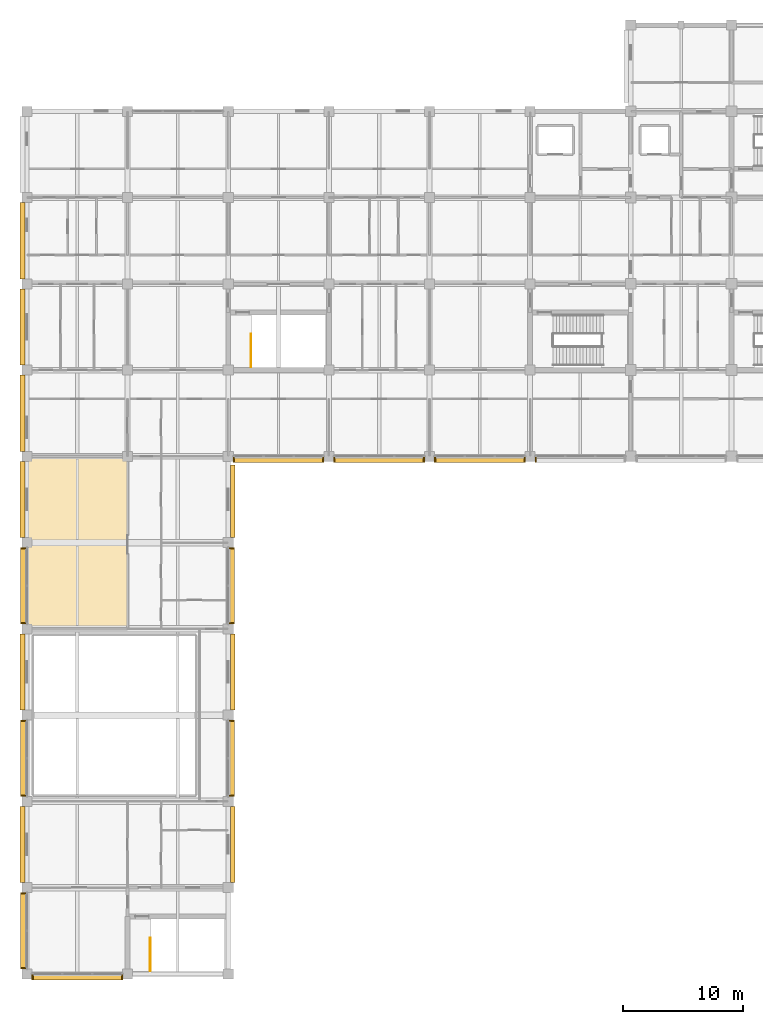
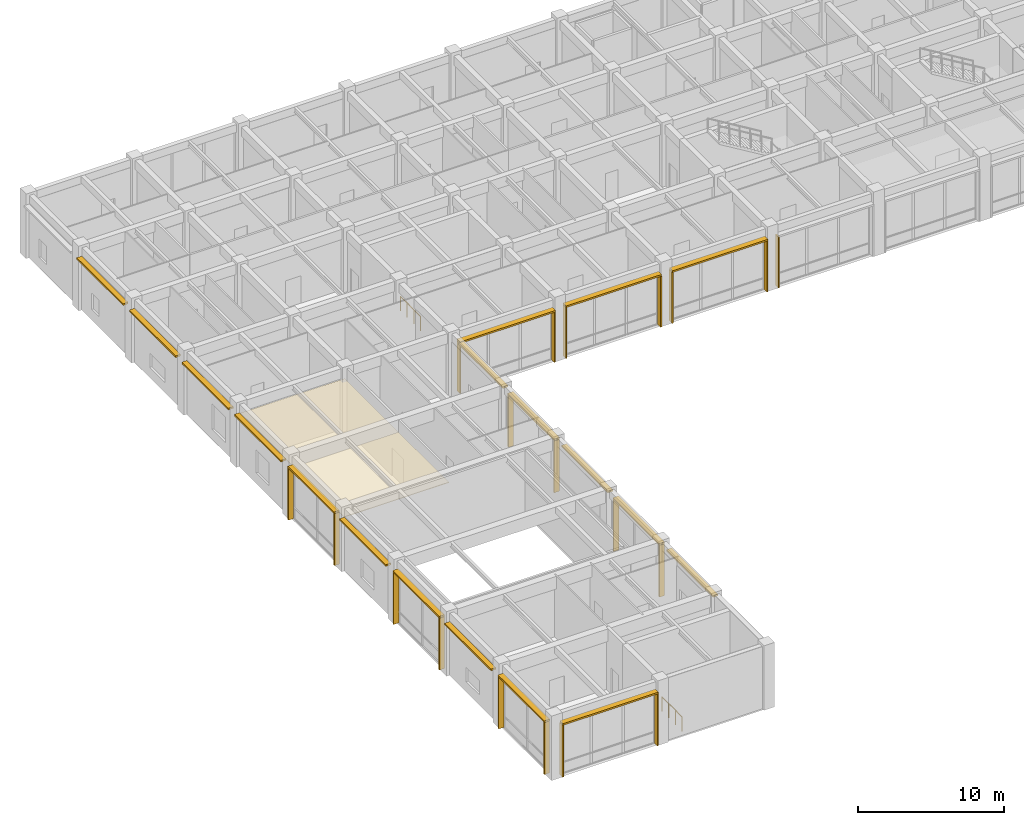
# One storey, part 52 of 58: 37 shading devices, 2 railings, 1 covering.
"""IFC4 building model written with IfcOpenShell, lengths in metres."""

from ifc_helpers import new_model, si_unit, direction, frame, origin, origin_2d, place, context, subcontext, project, spatial, polyline, rectangle, circle, outline, extrude, material, layer, layer_set, type_object, element, save


model = new_model("IFC4")

# Units and contexts
model_context = context("Model", 3, precision=1e-05, world=origin(), true_north=direction((0.0, 1.0)))
body_context = subcontext(model_context, "Body", "Model", "MODEL_VIEW")
ifc_project = project(units=[si_unit("LENGTHUNIT", "METRE"), si_unit("AREAUNIT", "SQUARE_METRE"), si_unit("VOLUMEUNIT", "CUBIC_METRE"), si_unit("PLANEANGLEUNIT", "RADIAN"), si_unit("MASSUNIT", "GRAM", prefix="KILO")], contexts=[model_context])

# Site, building, storey
site_placement = place(None, origin())
site = spatial("IfcSite", under=ifc_project, at=site_placement, CompositionType="ELEMENT")
building_placement = place(site_placement, origin())
building = spatial("IfcBuilding", under=site, at=building_placement, Name="Chengyuan Square Courthouse", CompositionType="ELEMENT")
storey_placement = place(building_placement, frame((0.0, 0.0, 16.199951171875)))
storey = spatial("IfcBuildingStorey", under=building, at=storey_placement, Name="L04", CompositionType="ELEMENT", Elevation=16.199951171875)

# Covering
ifc_material_1 = material(Name="Perforated Larch Glulam Acoustic Slat Ceiling", Category="wood")
ifc_layer = layer(ifc_material_1, 0.044921875)
ifc_layer_set = layer_set([ifc_layer], Name="Perforated Larch Glulam Acoustic Slat Ceiling")
covering_type = type_object("IfcCoveringType", Name="CLG-01", PredefinedType="CEILING", material=ifc_layer_set)
covering_placement = place(storey_placement, frame((0.0, 0.0, 4.10009765625)))
element("IfcCovering", 1, at=covering_placement, inside=storey, type_object=covering_type, Name="Acoustic Timber Slat Ceiling CLG-L04-CRT-W09", PredefinedType="CEILING", context=body_context, shape_type="SweptSolid", body=[
    extrude(outline(polyline([(0.050048828125, 64.85009765625), (8.35009765625, 64.85009765625), (8.35009765625, 79.14990234375), (0.050048828125, 79.14990234375), (0.050048828125, 64.85009765625)])), origin(), (0.0, 0.0, 1.0), 0.044921875),
])

# Railings
ifc_material_2 = material(Name="Tempered Glass and Timber Top-Rail Balustrade", Category="wood")
railing_type = type_object("IfcRailingType", Name="RL-02", PredefinedType="BALUSTRADE", material=ifc_material_2)
for number, where, name in (
    (2, (10.2900390625, 36.25, 0.0), "Stair Top Landing Guard ST-7 L04"),
    (3, (18.68994140625, 86.64990234375, 0.0), "Stair Top Landing Guard ST-9 L04"),
):
    element("IfcRailing", number, at=place(storey_placement, frame(where)), inside=storey, type_object=railing_type, Name=name, PredefinedType="BALUSTRADE", context=body_context, shape_type="SweptSolid", body=[
        extrude(circle(Radius=0.02392578125, at=origin_2d()), frame((0.0, 0.0, 1.17578125), z_axis=(0.0, 1.0, 0.0), x_axis=(-1.0, 0.0, 0.0)), (0.0, 0.0, 1.0), 2.75),
        extrude(circle(Radius=0.02099609375, at=origin_2d()), origin(), (0.0, 0.0, 1.0), 1.15185546875),
        extrude(circle(Radius=0.02099609375, at=origin_2d()), frame((0.0, 0.916748046875, 0.0)), (0.0, 0.0, 1.0), 1.15185546875),
        extrude(circle(Radius=0.02099609375, at=origin_2d()), frame((0.0, 1.833251953125, 0.0)), (0.0, 0.0, 1.0), 1.15185546875),
        extrude(circle(Radius=0.02099609375, at=origin_2d()), frame((0.0, 2.75, 0.0)), (0.0, 0.0, 1.0), 1.15185546875),
    ])

# Shading devices
ifc_material_3 = material(Name="Glulam TCt28 Solar Shading Fin", Category="wood")
shading_device_type_1 = type_object("IfcShadingDeviceType", Name="SHD-01", PredefinedType="JALOUSIE", material=ifc_material_3)
for number, where, z_axis, x_axis, name in (
    (4, (0.45751953125, 35.7080078125, 0.0400390625), (0.0, 0.0, 1.0), (0.0, 1.0, 0.0), "Glulam Solar Fin SHD-L04-0407"),
    (5, (7.9423828125, 35.7080078125, 0.0400390625), (0.0, 0.0, 1.0), (0.0, 1.0, 0.0), "Glulam Solar Fin SHD-L04-0408"),
    (6, (-0.302001953125, 36.4599609375, 0.0400390625), (0.0, 0.0, 1.0), (1.0, 0.0, 0.0), "Glulam Solar Fin SHD-L04-0410"),
    (7, (-0.302001953125, 42.739990234375, 0.0400390625), (0.0, 0.0, 1.0), (1.0, 0.0, 0.0), "Glulam Solar Fin SHD-L04-0411"),
    (8, (-0.302001953125, 50.860107421875, 0.0400390625), (0.0, 0.0, 1.0), (1.0, 0.0, 0.0), "Glulam Solar Fin SHD-L04-0414"),
    (9, (-0.302001953125, 57.139892578125, 0.0400390625), (0.0, 0.0, 1.0), (1.0, 0.0, 0.0), "Glulam Solar Fin SHD-L04-0415"),
    (10, (-0.302001953125, 65.260009765625, 0.0400390625), (0.0, 0.0, 1.0), (1.0, 0.0, 0.0), "Glulam Solar Fin SHD-L04-0418"),
    (11, (-0.302001953125, 71.5400390625, 0.0400390625), (0.0, 0.0, 1.0), (1.0, 0.0, 0.0), "Glulam Solar Fin SHD-L04-0419"),
    (12, (17.10205078125, 50.860107421875, 0.0400390625), (0.0, 0.0, 1.0), (1.0, 0.0, 0.0), "Glulam Solar Fin SHD-L04-0427"),
    (13, (17.10205078125, 57.139892578125, 0.0400390625), (0.0, 0.0, 1.0), (1.0, 0.0, 0.0), "Glulam Solar Fin SHD-L04-0428"),
    (14, (17.10205078125, 65.260009765625, 0.0400390625), (0.0, 0.0, 1.0), (1.0, 0.0, 0.0), "Glulam Solar Fin SHD-L04-0431"),
    (15, (17.10205078125, 71.5400390625, 0.0400390625), (0.0, 0.0, 1.0), (1.0, 0.0, 0.0), "Glulam Solar Fin SHD-L04-0432"),
):
    element("IfcShadingDevice", number, at=place(storey_placement, frame(where, z_axis=z_axis, x_axis=x_axis)), inside=storey, type_object=shading_device_type_1, Name=name, PredefinedType="JALOUSIE", context=body_context, shape_type="SweptSolid", body=[
        extrude(rectangle(XDim=0.419921875, YDim=0.094970703125, at=origin_2d()), origin(), (0.0, 0.0, 1.0), 4.340087890625),
    ])
for number, where, z_axis, x_axis, name in (
    (16, (17.257568359375, 78.907958984375, 0.0400390625), (0.0, 0.0, 1.0), (0.0, 1.0, 0.0), "Glulam Solar Fin SHD-L04-0435"),
    (17, (24.742431640625, 78.907958984375, 0.0400390625), (0.0, 0.0, 1.0), (0.0, 1.0, 0.0), "Glulam Solar Fin SHD-L04-0436"),
):
    element("IfcShadingDevice", number, at=place(storey_placement, frame(where, z_axis=z_axis, x_axis=x_axis)), inside=storey, type_object=shading_device_type_1, Name=name, PredefinedType="JALOUSIE", context=body_context, shape_type="SweptSolid", body=[
        extrude(rectangle(XDim=0.419921875, YDim=0.094970703125, at=origin_2d()), origin(), (0.0, 0.0, 1.0), 4.18994140625),
    ])
for number, where, z_axis, x_axis, name in (
    (18, (25.657470703125, 78.907958984375, 0.0400390625), (0.0, 0.0, 1.0), (0.0, 1.0, 0.0), "Glulam Solar Fin SHD-L04-0438"),
    (19, (33.142578125, 78.907958984375, 0.0400390625), (0.0, 0.0, 1.0), (0.0, 1.0, 0.0), "Glulam Solar Fin SHD-L04-0439"),
    (20, (34.0576171875, 78.907958984375, 0.0400390625), (0.0, 0.0, 1.0), (0.0, 1.0, 0.0), "Glulam Solar Fin SHD-L04-0441"),
    (21, (41.54248046875, 78.907958984375, 0.0400390625), (0.0, 0.0, 1.0), (0.0, 1.0, 0.0), "Glulam Solar Fin SHD-L04-0442"),
    (22, (42.45751953125, 78.907958984375, 0.0400390625), (0.0, 0.0, 1.0), (0.0, 1.0, 0.0), "Glulam Solar Fin SHD-L04-0444"),
):
    element("IfcShadingDevice", number, at=place(storey_placement, frame(where, z_axis=z_axis, x_axis=x_axis)), inside=storey, type_object=shading_device_type_1, Name=name, PredefinedType="JALOUSIE", context=body_context, shape_type="SweptSolid", body=[
        extrude(rectangle(XDim=0.419921875, YDim=0.094970703125, at=origin_2d()), origin(), (0.0, 0.0, 1.0), 4.260009765625),
    ])
ifc_material_4 = material(Name="Glulam TCt28 Sunshade Louvre", Category="wood")
shading_device_type_2 = type_object("IfcShadingDeviceType", Name="SHD-02", PredefinedType="AWNING", material=ifc_material_4)
shading_device_1_placement = place(storey_placement, frame((4.199951171875, 35.7080078125, 4.3798828125), z_axis=(0.0, 0.0, 1.0), x_axis=(1.0, 0.0, 0.0)))
element("IfcShadingDevice", 23, at=shading_device_1_placement, inside=storey, type_object=shading_device_type_2, Name="Glulam Sunshade Louvre SHD-L04-0409", PredefinedType="AWNING", context=body_context, shape_type="SweptSolid", body=[
    extrude(rectangle(XDim=7.550048828125, YDim=0.43994140625, at=origin_2d()), origin(), (0.0, 0.0, 1.0), 0.139892578125),
])
for number, where, z_axis, x_axis, name in (
    (24, (-0.302001953125, 39.60009765625, 4.3798828125), (0.0, 0.0, 1.0), (0.0, 1.0, 0.0), "Glulam Sunshade Louvre SHD-L04-0412"),
    (25, (-0.302001953125, 54.0, 4.3798828125), (0.0, 0.0, 1.0), (0.0, 1.0, 0.0), "Glulam Sunshade Louvre SHD-L04-0416"),
    (26, (-0.302001953125, 68.39990234375, 4.3798828125), (0.0, 0.0, 1.0), (0.0, 1.0, 0.0), "Glulam Sunshade Louvre SHD-L04-0420"),
    (27, (17.10205078125, 54.0, 4.3798828125), (0.0, 0.0, 1.0), (0.0, 1.0, 0.0), "Glulam Sunshade Louvre SHD-L04-0429"),
    (28, (17.10205078125, 68.39990234375, 4.3798828125), (0.0, 0.0, 1.0), (0.0, 1.0, 0.0), "Glulam Sunshade Louvre SHD-L04-0433"),
):
    element("IfcShadingDevice", number, at=place(storey_placement, frame(where, z_axis=z_axis, x_axis=x_axis)), inside=storey, type_object=shading_device_type_2, Name=name, PredefinedType="AWNING", context=body_context, shape_type="SweptSolid", body=[
        extrude(rectangle(XDim=6.35009765625, YDim=0.43994140625, at=origin_2d()), origin(), (0.0, 0.0, 1.0), 0.139892578125),
    ])
for number, where, z_axis, x_axis, name in (
    (29, (21.0, 78.907958984375, 4.22998046875), (0.0, 0.0, 1.0), (1.0, 0.0, 0.0), "Glulam Sunshade Louvre SHD-L04-0437"),
    (30, (29.39990234375, 78.907958984375, 4.30029296875), (0.0, 0.0, 1.0), (1.0, 0.0, 0.0), "Glulam Sunshade Louvre SHD-L04-0440"),
    (31, (37.800048828125, 78.907958984375, 4.30029296875), (0.0, 0.0, 1.0), (1.0, 0.0, 0.0), "Glulam Sunshade Louvre SHD-L04-0443"),
):
    element("IfcShadingDevice", number, at=place(storey_placement, frame(where, z_axis=z_axis, x_axis=x_axis)), inside=storey, type_object=shading_device_type_2, Name=name, PredefinedType="AWNING", context=body_context, shape_type="SweptSolid", body=[
        extrude(rectangle(XDim=7.550048828125, YDim=0.43994140625, at=origin_2d()), origin(), (0.0, 0.0, 1.0), 0.139892578125),
    ])
ifc_material_5 = material(Name="Glulam TCt28 Facade Sunshade", Category="wood")
shading_device_type_3 = type_object("IfcShadingDeviceType", Name="SHD-03", PredefinedType="AWNING", material=ifc_material_5)
for number, where, z_axis, x_axis, name in (
    (32, (-0.382080078125, 46.800048828125, 4.35986328125), (0.0, 0.0, 1.0), (0.0, 1.0, 0.0), "Glulam Facade Sunshade SHD-L04-0413"),
    (33, (-0.382080078125, 61.199951171875, 4.35986328125), (0.0, 0.0, 1.0), (0.0, 1.0, 0.0), "Glulam Facade Sunshade SHD-L04-0417"),
    (34, (-0.382080078125, 75.60009765625, 4.35986328125), (0.0, 0.0, 1.0), (0.0, 1.0, 0.0), "Glulam Facade Sunshade SHD-L04-0421"),
    (35, (-0.382080078125, 82.800048828125, 4.35986328125), (0.0, 0.0, 1.0), (0.0, 1.0, 0.0), "Glulam Facade Sunshade SHD-L04-0422"),
    (36, (-0.382080078125, 90.0, 4.35986328125), (0.0, 0.0, 1.0), (0.0, 1.0, 0.0), "Glulam Facade Sunshade SHD-L04-0423"),
    (37, (-0.382080078125, 97.199951171875, 4.35986328125), (0.0, 0.0, 1.0), (0.0, 1.0, 0.0), "Glulam Facade Sunshade SHD-L04-0424"),
    (38, (17.181884765625, 46.800048828125, 4.35986328125), (0.0, 0.0, 1.0), (0.0, 1.0, 0.0), "Glulam Facade Sunshade SHD-L04-0426"),
    (39, (17.181884765625, 61.199951171875, 4.35986328125), (0.0, 0.0, 1.0), (0.0, 1.0, 0.0), "Glulam Facade Sunshade SHD-L04-0430"),
):
    element("IfcShadingDevice", number, at=place(storey_placement, frame(where, z_axis=z_axis, x_axis=x_axis)), inside=storey, type_object=shading_device_type_3, Name=name, PredefinedType="AWNING", context=body_context, shape_type="SweptSolid", body=[
        extrude(rectangle(XDim=6.360107421875, YDim=0.39990234375, at=origin_2d()), origin(), (0.0, 0.0, 1.0), 0.139892578125),
    ])
shading_device_2_placement = place(storey_placement, frame((17.181884765625, 75.449951171875, 4.35986328125), z_axis=(0.0, 0.0, 1.0), x_axis=(0.0, 1.0, 0.0)))
element("IfcShadingDevice", 40, at=shading_device_2_placement, inside=storey, type_object=shading_device_type_3, Name="Glulam Facade Sunshade SHD-L04-0434", PredefinedType="AWNING", context=body_context, shape_type="SweptSolid", body=[
    extrude(rectangle(XDim=6.06005859375, YDim=0.39990234375, at=origin_2d()), origin(), (0.0, 0.0, 1.0), 0.139892578125),
])

save(model, "model.ifc")
